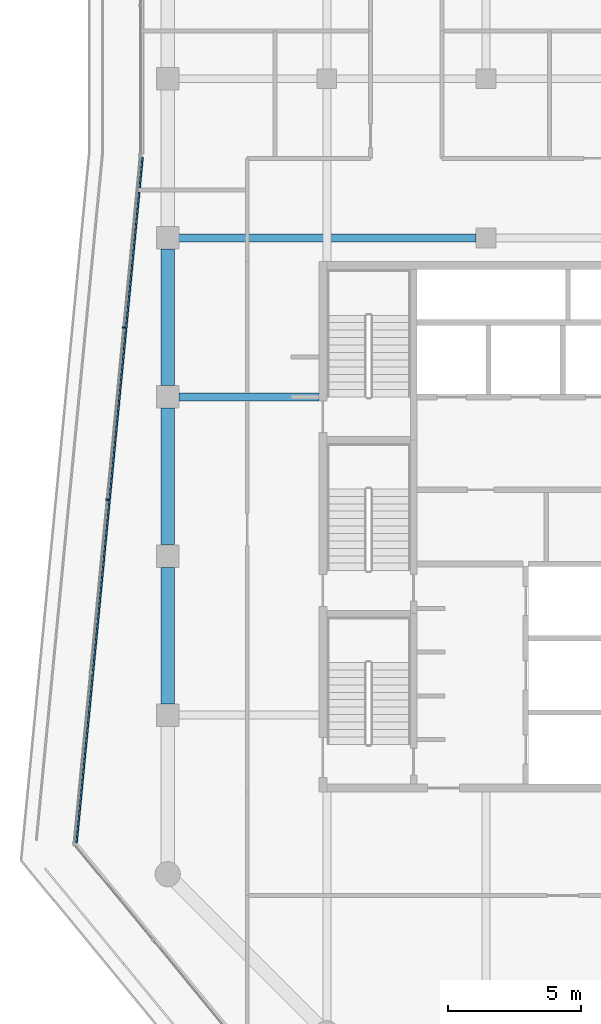
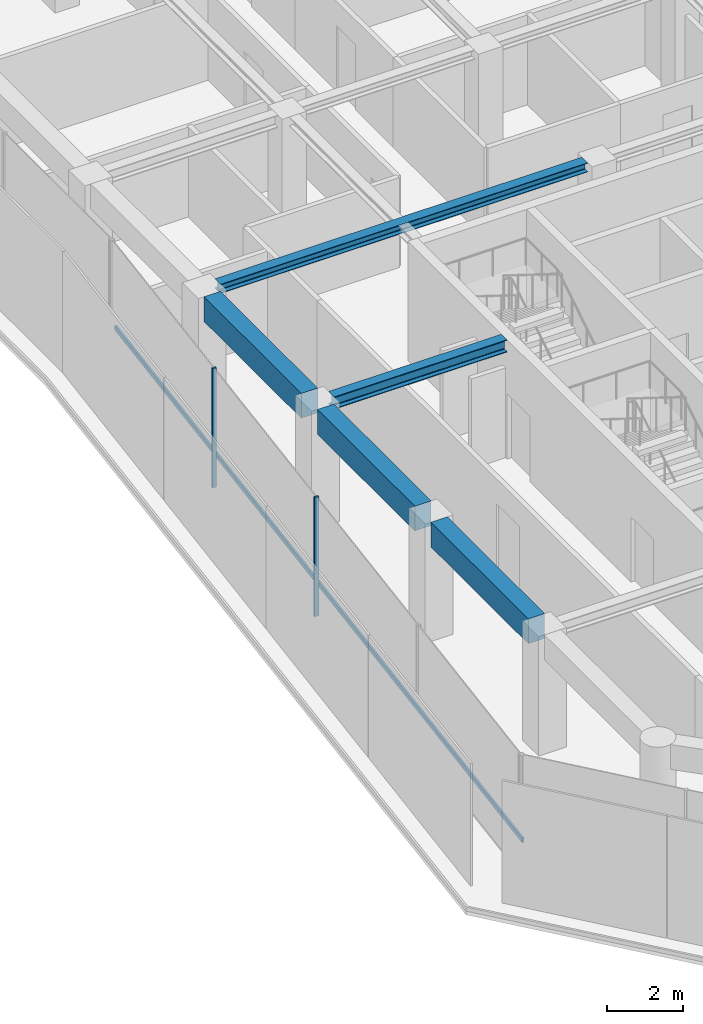
# One storey, part 4 of 25: 5 beams, 3 members, 1 element without a shape of its own.
"""IFC4 building model written with IfcOpenShell, lengths in metres."""

from ifc_helpers import new_model, si_unit, direction, frame, origin, origin_2d, place, context, subcontext, project, spatial, rectangle, i_section, extrude, material, layer, layer_set, material_profile, profile_set, type_object, element, aggregate, save


model = new_model("IFC4")

# Units and contexts
model_context = context("Model", 3, precision=1e-05, world=origin(), true_north=direction((0.0, 1.0)))
body_context = subcontext(model_context, "Body", "Model", "MODEL_VIEW")
ifc_project = project(units=[si_unit("LENGTHUNIT", "METRE"), si_unit("AREAUNIT", "SQUARE_METRE"), si_unit("VOLUMEUNIT", "CUBIC_METRE"), si_unit("PLANEANGLEUNIT", "RADIAN"), si_unit("MASSUNIT", "GRAM", prefix="KILO")], contexts=[model_context])

# Site, building, storey
site_placement = place(None, origin())
site = spatial("IfcSite", under=ifc_project, at=site_placement, CompositionType="ELEMENT")
building_placement = place(site_placement, origin())
building = spatial("IfcBuilding", under=site, at=building_placement, Name="Welwitschia Terrace Campus", CompositionType="ELEMENT")
storey_placement = place(building_placement, frame((0.0, 0.0, 264.199951171875)))
storey = spatial("IfcBuildingStorey", under=building, at=storey_placement, Name="L58", CompositionType="ELEMENT", Elevation=264.199951171875)

# Beam
ifc_material_1 = material(Name="Steel S355", Category="steel")
ifc_material_profile_1 = material_profile(ifc_material_1, i_section(OverallWidth=0.300048828125, OverallDepth=0.300048828125, WebThickness=0.010986328125, FlangeThickness=0.01904296875, FilletRadius=0.027099609375, at=origin_2d()))
ifc_profile_set_1 = profile_set([ifc_material_profile_1], Name="Steel S355")
beam_type_1 = type_object("IfcBeamType", Name="Interior girder HE 300 B", PredefinedType="BEAM", material=ifc_profile_set_1)
beam_1_placement = place(storey_placement, frame((0.41552734375, 26.0, 3.699951171875), z_axis=(1.0, 0.0, 0.0), x_axis=(0.0, 1.0, 0.0)))
element("IfcBeam", 1, at=beam_1_placement, inside=storey, type_object=beam_type_1, Name="Girder GB6", PredefinedType="BEAM", context=body_context, shape_type="SweptSolid", body=[
    extrude(i_section(OverallWidth=0.300048828125, OverallDepth=0.300048828125, WebThickness=0.010986328125, FlangeThickness=0.01904296875, FilletRadius=0.027099609375, at=origin_2d()), origin(), (0.0, 0.0, 1.0), 11.208984375),
])

# Curtain wall, members
ifc_material_2 = material(Name="Bronze anodised aluminium", Category="aluminium")
ifc_layer = layer(ifc_material_2, 0.1201171875)
ifc_layer_set = layer_set([ifc_layer], Name="Bronze anodised aluminium")
curtain_wall_type = type_object("IfcCurtainWallType", Name="Curtain wall CW2 tower 6000", PredefinedType="NOTDEFINED", material=ifc_layer_set)
curtain_wall_placement = place(storey_placement, origin())
curtain_wall = element("IfcCurtainWall", 2, at=curtain_wall_placement, inside=storey, type_object=curtain_wall_type, Name="CW L58.1.0", PredefinedType="NOTDEFINED")
ifc_material_3 = material(Name="Bronze anodised aluminium", Category="aluminium")
ifc_material_profile_2 = material_profile(ifc_material_3, rectangle(XDim=0.1201171875, YDim=0.06005859375, at=origin_2d()))
ifc_profile_set_2 = profile_set([ifc_material_profile_2], Name="Bronze anodised aluminium")
member_type_1 = type_object("IfcMemberType", Name="Mullion 60x120", PredefinedType="MULLION", material=ifc_profile_set_2)
member_1_placement = place(storey_placement, frame((-1.6552734375, 22.615234375, 0.0), z_axis=(0.0, 0.0, 1.0), x_axis=(0.995396198367, -0.09584575252, 0.0)))
member_1 = element("IfcMember", 3, at=member_1_placement, type_object=member_type_1, Name="Mullion L58.1.0.1", PredefinedType="MULLION", context=body_context, shape_type="SweptSolid", body=[
    extrude(rectangle(XDim=0.1201171875, YDim=0.06005859375, at=origin_2d()), origin(), (0.0, 0.0, 1.0), 3.85009765625),
])
member_2_placement = place(storey_placement, frame((-2.280517578125, 16.121826171875, 0.0), z_axis=(0.0, 0.0, 1.0), x_axis=(0.995396198367, -0.09584575252, 0.0)))
member_2 = element("IfcMember", 4, at=member_2_placement, type_object=member_type_1, Name="Mullion L58.1.0.2", PredefinedType="MULLION", context=body_context, shape_type="SweptSolid", body=[
    extrude(rectangle(XDim=0.1201171875, YDim=0.06005859375, at=origin_2d()), origin(), (0.0, 0.0, 1.0), 3.85009765625),
])

# Beams
ifc_material_4 = material(Name="Steel S355", Category="steel")
ifc_material_profile_3 = material_profile(ifc_material_4, i_section(OverallWidth=0.300048828125, OverallDepth=0.39990234375, WebThickness=0.013427734375, FlangeThickness=0.02392578125, FilletRadius=0.027099609375, at=origin_2d()))
ifc_profile_set_3 = profile_set([ifc_material_profile_3], Name="Steel S355")
beam_type_2 = type_object("IfcBeamType", Name="Primary beam HE 400 B", PredefinedType="BEAM", material=ifc_profile_set_3)
beam_2_placement = place(storey_placement, frame((0.425537109375, 20.0, 3.650146484375), z_axis=(1.0, 0.0, 0.0), x_axis=(0.0, 1.0, 0.0)))
element("IfcBeam", 5, at=beam_2_placement, inside=storey, type_object=beam_type_2, Name="Primary beam PB6", PredefinedType="BEAM", context=body_context, shape_type="SweptSolid", body=[
    extrude(i_section(OverallWidth=0.300048828125, OverallDepth=0.39990234375, WebThickness=0.013427734375, FlangeThickness=0.02392578125, FilletRadius=0.027099609375, at=origin_2d()), origin(), (0.0, 0.0, 1.0), 5.2744140625),
])
ifc_material_5 = material(Name="Concrete C50/60", Category="concrete")
ifc_material_profile_4 = material_profile(ifc_material_5, rectangle(XDim=0.5, YDim=0.800048828125, at=origin_2d()))
ifc_profile_set_4 = profile_set([ifc_material_profile_4], Name="Concrete C50/60")
beam_type_3 = type_object("IfcBeamType", Name="Ring spandrel 500x800", PredefinedType="SPANDREL", material=ifc_profile_set_4)
for number, where, z_axis, x_axis, name in (
    (6, (0.0, 25.574462890625, 3.449951171875), (0.0, -1.0, 0.0), (1.0, 0.0, 0.0), "Spandrel SP4"),
    (7, (0.0, 19.574462890625, 3.449951171875), (0.0, -1.0, 0.0), (1.0, 0.0, 0.0), "Spandrel SP4"),
    (8, (0.0, 13.574462890625, 3.449951171875), (0.0, -1.0, 0.0), (1.0, 0.0, 0.0), "Spandrel SP4"),
):
    element("IfcBeam", number, at=place(storey_placement, frame(where, z_axis=z_axis, x_axis=x_axis)), inside=storey, type_object=beam_type_3, Name=name, PredefinedType="SPANDREL", context=body_context, shape_type="SweptSolid", body=[
        extrude(rectangle(XDim=0.5, YDim=0.800048828125, at=origin_2d()), origin(), (0.0, 0.0, 1.0), 5.14892578125),
    ])

# Member
ifc_material_6 = material(Name="Bronze anodised aluminium", Category="aluminium")
ifc_material_profile_5 = material_profile(ifc_material_6, rectangle(XDim=0.06005859375, YDim=0.14990234375, at=origin_2d()))
ifc_profile_set_5 = profile_set([ifc_material_profile_5], Name="Bronze anodised aluminium")
member_type_2 = type_object("IfcMemberType", Name="Transom 60x150", PredefinedType="USERDEFINED", material=ifc_profile_set_5)
member_3_placement = place(storey_placement, frame((-0.946044921875, 29.040283203125, 1.0), z_axis=(-0.095854970527, -0.995395310731, 0.0), x_axis=(0.995395310731, -0.095854970527, 0.0)))
member_3 = element("IfcMember", 9, at=member_3_placement, type_object=member_type_2, Name="Transom L58.1.0", ObjectType="TRANSOM", PredefinedType="USERDEFINED", context=body_context, shape_type="SweptSolid", body=[
    extrude(rectangle(XDim=0.06005859375, YDim=0.14990234375, at=origin_2d()), origin(), (0.0, 0.0, 1.0), 25.97412109375),
])

aggregate(curtain_wall, [member_1, member_2, member_3])

save(model, "model.ifc")
